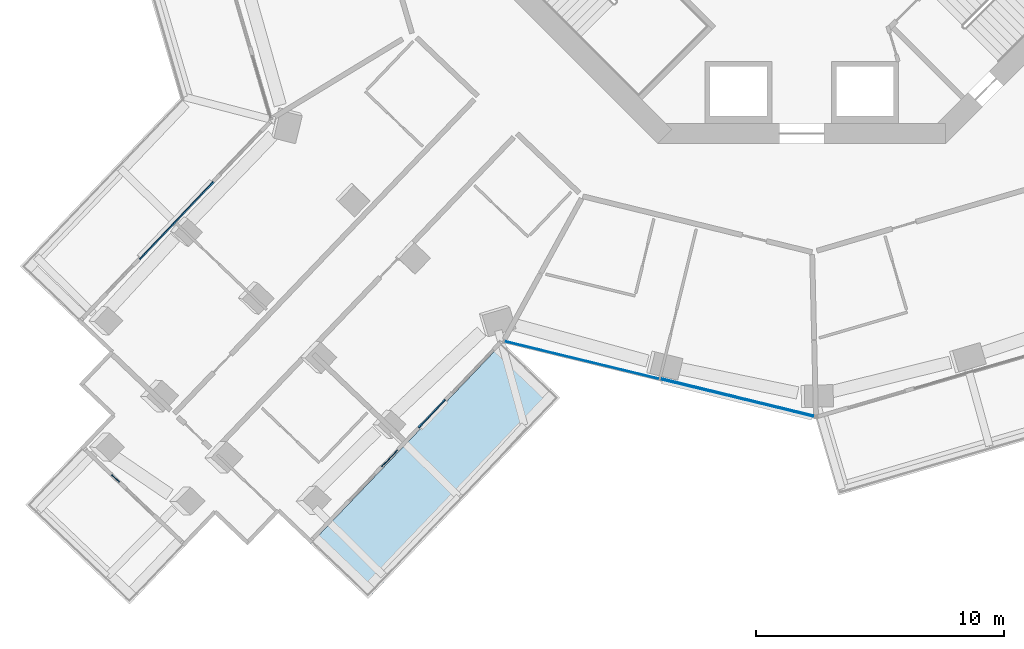
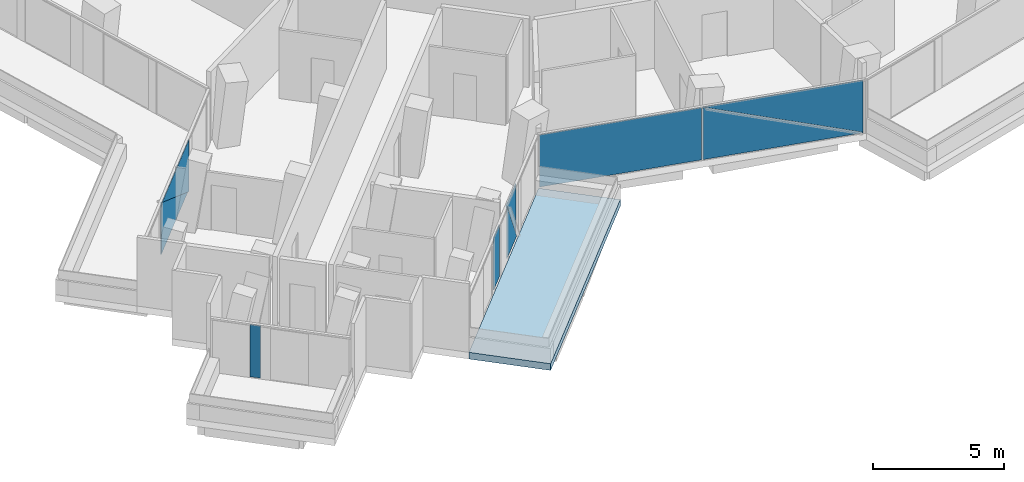
# One storey, part 12 of 25: 9 plates, 1 slab, 4 elements without a shape of their own.
"""IFC4 building model written with IfcOpenShell, lengths in metres."""

from ifc_helpers import new_model, si_unit, direction, frame, origin, origin_2d, place, context, subcontext, project, spatial, polyline, rectangle, outline, extrude, material, layer, layer_set, type_object, element, aggregate, save


model = new_model("IFC4")

# Units and contexts
model_context = context("Model", 3, precision=1e-05, world=origin(), true_north=direction((0.0, 1.0)))
body_context = subcontext(model_context, "Body", "Model", "MODEL_VIEW")
ifc_project = project(units=[si_unit("LENGTHUNIT", "METRE"), si_unit("AREAUNIT", "SQUARE_METRE"), si_unit("VOLUMEUNIT", "CUBIC_METRE"), si_unit("PLANEANGLEUNIT", "RADIAN"), si_unit("MASSUNIT", "GRAM", prefix="KILO")], contexts=[model_context])

# Site, building, storey
site_placement = place(None, origin())
site = spatial("IfcSite", under=ifc_project, at=site_placement, CompositionType="ELEMENT")
building_placement = place(site_placement, origin())
building = spatial("IfcBuilding", under=site, at=building_placement, Name="Verdalira Terraces Hotel", CompositionType="ELEMENT")
storey_placement = place(building_placement, frame((0.0, 0.0, 100.0)))
storey = spatial("IfcBuildingStorey", under=building, at=storey_placement, Name="L23", CompositionType="ELEMENT", Elevation=100.0)

# Slab
ifc_material_1 = material(Name="Precast concrete C40/50", Category="concrete")
ifc_layer_1 = layer(ifc_material_1, 0.31005859375)
ifc_layer_set_1 = layer_set([ifc_layer_1], Name="Balcony deck 310")
slab_type = type_object("IfcSlabType", Name="Balcony deck 310", PredefinedType="FLOOR", material=ifc_layer_set_1)
slab_placement = place(storey_placement, frame((0.0, 0.0, -0.310059)))
element("IfcSlab", 1, at=slab_placement, inside=storey, type_object=slab_type, Name="Balcony deck", PredefinedType="FLOOR", context=body_context, shape_type="SweptSolid", body=[
    extrude(outline(polyline([(-9.738525, -24.24292), (-12.052734, -22.032959), (-19.793457, -30.138672), (-17.479004, -32.348877), (-9.738525, -24.24292)])), origin(), (0.0, 0.0, 1.0), 0.310059),
])

# Curtain wall, plates
ifc_material_2 = material(Name="Clear glass", Category="glass")
ifc_layer_2 = layer(ifc_material_2, 0.14990234375)
ifc_layer_set_2 = layer_set([ifc_layer_2], Name="CW1 curtain wall")
curtain_wall_type_1 = type_object("IfcCurtainWallType", Name="CW1 curtain wall", PredefinedType="NOTDEFINED", material=ifc_layer_set_2)
curtain_wall_1_placement = place(storey_placement, origin())
curtain_wall_1 = element("IfcCurtainWall", 2, at=curtain_wall_1_placement, inside=storey, type_object=curtain_wall_type_1, Name="CW1 curtain wall L23 edge 25", PredefinedType="NOTDEFINED")
ifc_material_3 = material(Name="Clear glass", Category="glass")
ifc_layer_3 = layer(ifc_material_3, 0.028076171875)
ifc_layer_set_3 = layer_set([ifc_layer_3], Name="CW1 glass unit 28")
plate_type_1 = type_object("IfcPlateType", Name="CW1 glass unit 28", PredefinedType="CURTAIN_PANEL", material=ifc_layer_set_3)
plate_1_placement = place(storey_placement, frame((-8.862549, -22.732178, 0.0), z_axis=(0.0, 0.0, 1.0), x_axis=(0.971631733, -0.236498997, 0.0)))
plate_1 = element("IfcPlate", 3, at=plate_1_placement, type_object=plate_type_1, Name="CW1 glass unit", PredefinedType="CURTAIN_PANEL", context=body_context, shape_type="SweptSolid", body=[
    extrude(rectangle(XDim=6.409912, YDim=0.028076, at=origin_2d()), origin(), (0.0, 0.0, 1.0), 2.425049),
])
plate_2_placement = place(storey_placement, frame((-2.592285, -24.243896, 1.212402), z_axis=(-0.236498997, -0.971631733, 0.0), x_axis=(0.971631733, -0.236498997, 0.0)))
plate_2 = element("IfcPlate", 4, at=plate_2_placement, type_object=plate_type_1, Name="CW1 glass unit", PredefinedType="CURTAIN_PANEL", context=body_context, shape_type="SweptSolid", body=[
    extrude(outline(polyline([(-3.185059, -1.212402), (3.185059, -1.212402), (-3.185059, 1.212402), (-3.185059, -1.212402)])), origin(), (0.0, 0.0, 1.0), 0.028076),
])
plate_3_placement = place(storey_placement, frame((-2.585449, -24.21582, 1.212402), z_axis=(-0.236498997, -0.971631733, 0.0), x_axis=(0.971631733, -0.236498997, 0.0)))
plate_3 = element("IfcPlate", 5, at=plate_3_placement, type_object=plate_type_1, Name="CW1 glass unit", PredefinedType="CURTAIN_PANEL", context=body_context, shape_type="SweptSolid", body=[
    extrude(outline(polyline([(3.185059, -1.212402), (3.185059, 1.212402), (-3.185059, 1.212402), (3.185059, -1.212402)])), origin(), (0.0, 0.0, 1.0), 0.028076),
])
aggregate(curtain_wall_1, [plate_1, plate_2, plate_3])

ifc_material_4 = material(Name="Clear glass", Category="glass")
ifc_layer_4 = layer(ifc_material_4, 0.14990234375)
ifc_layer_set_4 = layer_set([ifc_layer_4], Name="CW2 curtain wall")
curtain_wall_type_2 = type_object("IfcCurtainWallType", Name="CW2 curtain wall", PredefinedType="NOTDEFINED", material=ifc_layer_set_4)
curtain_wall_2_placement = place(storey_placement, origin())
curtain_wall_2 = element("IfcCurtainWall", 6, at=curtain_wall_2_placement, inside=storey, type_object=curtain_wall_type_2, Name="CW2 curtain wall L23 edge 14", PredefinedType="NOTDEFINED")
ifc_material_5 = material(Name="Clear glass", Category="glass")
ifc_layer_5 = layer(ifc_material_5, 0.031982421875)
ifc_layer_set_5 = layer_set([ifc_layer_5], Name="CW2 glass unit 32")
plate_type_2 = type_object("IfcPlateType", Name="CW2 glass unit 32", PredefinedType="CURTAIN_PANEL", material=ifc_layer_set_5)
plate_4_placement = place(storey_placement, frame((-25.197266, -17.105713, 1.212402), z_axis=(-0.723208265, 0.690630006, 0.0), x_axis=(-0.690630006, -0.723208265, 0.0)))
plate_4 = element("IfcPlate", 7, at=plate_4_placement, type_object=plate_type_2, Name="CW2 glass unit", PredefinedType="CURTAIN_PANEL", context=body_context, shape_type="SweptSolid", body=[
    extrude(outline(polyline([(-2.151123, -1.212402), (2.151123, -1.212402), (2.151123, 1.212402), (-2.151123, -1.212402)])), origin(), (0.0, 0.0, 1.0), 0.031982),
])
plate_5_placement = place(storey_placement, frame((-25.17334, -17.128418, 1.212402), z_axis=(-0.723208265, 0.690630006, 0.0), x_axis=(-0.690630006, -0.723208265, 0.0)))
plate_5 = element("IfcPlate", 8, at=plate_5_placement, type_object=plate_type_2, Name="CW2 glass unit", PredefinedType="CURTAIN_PANEL", context=body_context, shape_type="SweptSolid", body=[
    extrude(outline(polyline([(-2.151123, -1.212402), (2.151123, 1.212402), (-2.151123, 1.212402), (-2.151123, -1.212402)])), origin(), (0.0, 0.0, 1.0), 0.031982),
])
aggregate(curtain_wall_2, [plate_4, plate_5])

curtain_wall_3_placement = place(storey_placement, origin())
curtain_wall_3 = element("IfcCurtainWall", 9, at=curtain_wall_3_placement, inside=storey, type_object=curtain_wall_type_2, Name="CW2 curtain wall L23 edge 24", PredefinedType="NOTDEFINED")
plate_6_placement = place(storey_placement, frame((-16.606689, -26.693359, 0.0), z_axis=(0.0, 0.0, 1.0), x_axis=(0.690630006, 0.723208265, 0.0)))
plate_6 = element("IfcPlate", 10, at=plate_6_placement, type_object=plate_type_2, Name="CW2 glass unit", PredefinedType="CURTAIN_PANEL", context=body_context, shape_type="SweptSolid", body=[
    extrude(rectangle(XDim=0.922852, YDim=0.031982, at=origin_2d()), origin(), (0.0, 0.0, 1.0), 2.425049),
])
plate_7_placement = place(storey_placement, frame((-14.908447, -24.891846, 1.212402), z_axis=(0.723208265, -0.690630006, 0.0), x_axis=(0.690630006, 0.723208265, 0.0)))
plate_7 = element("IfcPlate", 11, at=plate_7_placement, type_object=plate_type_2, Name="CW2 glass unit", PredefinedType="CURTAIN_PANEL", context=body_context, shape_type="SweptSolid", body=[
    extrude(outline(polyline([(-0.77002, -1.212402), (0.77002, -1.212402), (-0.77002, 1.212402), (-0.77002, -1.212402)])), origin(), (0.0, 0.0, 1.0), 0.031982),
])
plate_8_placement = place(storey_placement, frame((-14.932373, -24.869141, 1.212402), z_axis=(0.723208265, -0.690630006, 0.0), x_axis=(0.690630006, 0.723208265, 0.0)))
plate_8 = element("IfcPlate", 12, at=plate_8_placement, type_object=plate_type_2, Name="CW2 glass unit", PredefinedType="CURTAIN_PANEL", context=body_context, shape_type="SweptSolid", body=[
    extrude(outline(polyline([(0.77002, -1.212402), (0.77002, 1.212402), (-0.77002, 1.212402), (0.77002, -1.212402)])), origin(), (0.0, 0.0, 1.0), 0.031982),
])
aggregate(curtain_wall_3, [plate_6, plate_7, plate_8])

# Curtain wall, plate
ifc_material_6 = material(Name="Clear glass", Category="glass")
ifc_layer_6 = layer(ifc_material_6, 0.14990234375)
ifc_layer_set_6 = layer_set([ifc_layer_6], Name="CW3 curtain wall")
curtain_wall_type_3 = type_object("IfcCurtainWallType", Name="CW3 curtain wall", PredefinedType="NOTDEFINED", material=ifc_layer_set_6)
curtain_wall_4_placement = place(storey_placement, origin())
curtain_wall_4 = element("IfcCurtainWall", 13, at=curtain_wall_4_placement, inside=storey, type_object=curtain_wall_type_3, Name="CW3 curtain wall L23 edge 19", PredefinedType="NOTDEFINED")
ifc_material_7 = material(Name="Clear glass", Category="glass")
ifc_layer_7 = layer(ifc_material_7, 0.035888671875)
ifc_layer_set_7 = layer_set([ifc_layer_7], Name="CW3 glass unit 36")
plate_type_3 = type_object("IfcPlateType", Name="CW3 glass unit 36", PredefinedType="CURTAIN_PANEL", material=ifc_layer_set_7)
plate_9_placement = place(storey_placement, frame((-27.659668, -27.500732, 0.0), z_axis=(0.0, 0.0, 1.0), x_axis=(0.723208265, -0.690630006, 0.0)))
plate_9 = element("IfcPlate", 14, at=plate_9_placement, type_object=plate_type_3, Name="CW3 glass unit", PredefinedType="CURTAIN_PANEL", context=body_context, shape_type="SweptSolid", body=[
    extrude(rectangle(XDim=0.421631, YDim=0.035889, at=origin_2d()), origin(), (0.0, 0.0, 1.0), 2.425049),
])
aggregate(curtain_wall_4, [plate_9])

save(model, "model.ifc")
